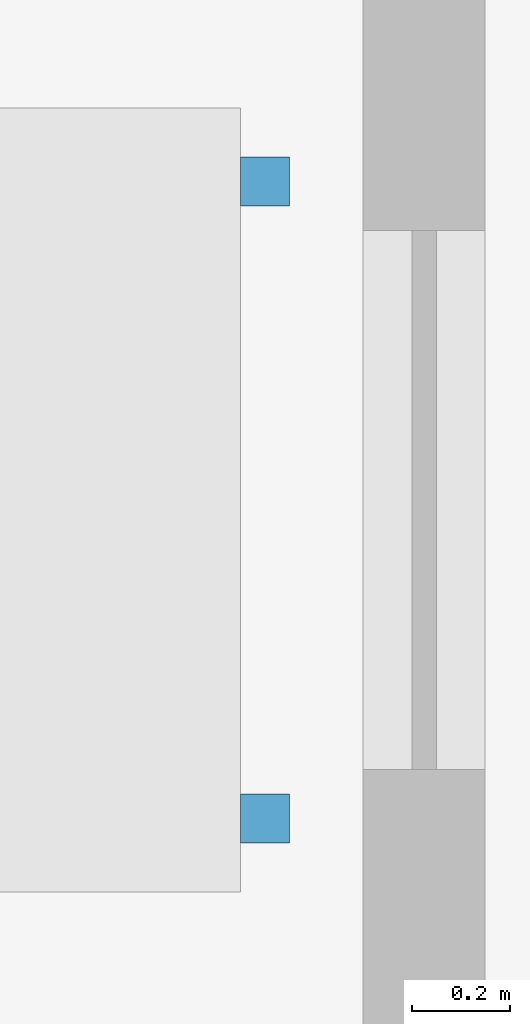
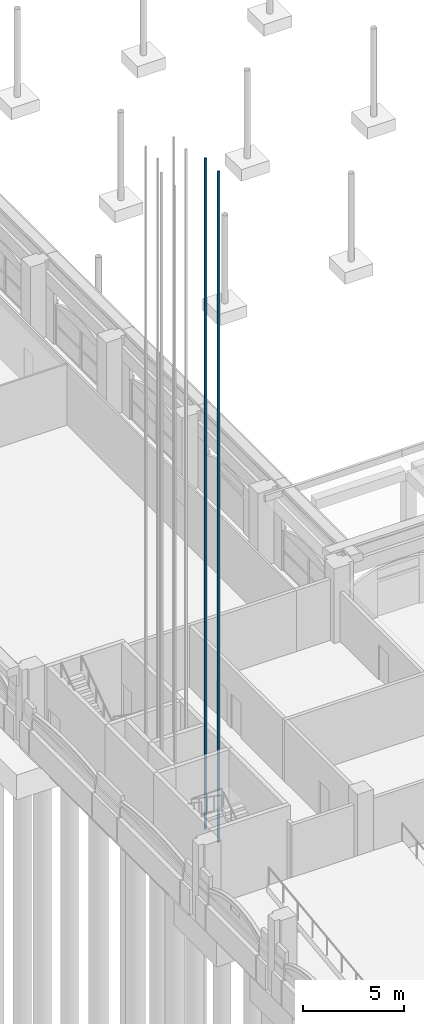
# One storey, part 49 of 99: 2 discrete accessories.
"""IFC4 building model written with IfcOpenShell, lengths in metres."""

import ifcopenshell
import ifcopenshell.guid

model = None  # the IFC model being written
_history = None  # IfcOwnerHistory: only IFC2X3 demands one
_inside = {}  # id of a spatial element -> (the spatial element, [elements in it])
_under = {}  # id of a project, library or spatial element -> (it, [spatial elements below it])
_declared = {}  # id of a project -> (the project, [libraries it declares])
_typed = {}  # id of a type object -> (the type object, [elements of that type])
_made_of = {}  # id of a material, layer set ... -> (it, [elements and type objects made of it])


def new_model(schema):
    """Start an empty IFC model of exactly this schema.

    Asked for "IFC4X3", IfcOpenShell would pick the latest addendum, in which some entities
    have other attributes; the version numbers below select the first issue.
    IFC2X3 requires an IfcOwnerHistory on every rooted entity: one is made here for all.
    """
    global model, _history
    if schema == "IFC4X3":
        model = ifcopenshell.file(schema_version=(4, 3, 0, 0))
    else:
        model = ifcopenshell.file(schema=schema)
    _inside.clear()
    _under.clear()
    _declared.clear()
    _typed.clear()
    _made_of.clear()
    _history = None
    if model.schema == "IFC2X3":
        org = make("IfcOrganization", Name="unknown")
        user = make(
            "IfcPersonAndOrganization",
            ThePerson=make("IfcPerson", FamilyName="unknown"),
            TheOrganization=org,
        )
        app = make(
            "IfcApplication",
            ApplicationDeveloper=org,
            Version="unknown",
            ApplicationFullName="unknown",
            ApplicationIdentifier="unknown",
        )
        _history = make(
            "IfcOwnerHistory",
            OwningUser=user,
            OwningApplication=app,
            ChangeAction="ADDED",
            CreationDate=0,
        )
    return model


def make(cls, **values):
    """One entity of the class cls with the attributes given. An attribute that is None is left unset."""
    return model.create_entity(
        cls, **{name: value for name, value in values.items() if value is not None}
    )


def rooted(cls, **values):
    """An entity with a GlobalId (a new one), such as an element, a storey or a relation."""
    return make(cls, GlobalId=ifcopenshell.guid.new(), OwnerHistory=_history, **values)


def si_unit(unit_type, name, prefix=None):
    """IfcSIUnit, for example si_unit("LENGTHUNIT", "METRE", prefix="MILLI")."""
    return make("IfcSIUnit", UnitType=unit_type, Prefix=prefix, Name=name)


def assignment(units):
    """IfcUnitAssignment: the units of a project."""
    return None if units is None else make("IfcUnitAssignment", Units=units)


def point(xyz):
    """IfcCartesianPoint."""
    return None if xyz is None else make("IfcCartesianPoint", Coordinates=xyz)


def direction(xyz):
    """IfcDirection."""
    return None if xyz is None else make("IfcDirection", DirectionRatios=xyz)


def frame(location, z_axis=None, x_axis=None):
    """IfcAxis2Placement3D, a coordinate frame: its origin and axes. An axis left out is left unset."""
    return make(
        "IfcAxis2Placement3D",
        Location=point(location),
        Axis=direction(z_axis),
        RefDirection=direction(x_axis),
    )


def frame_2d(location, x_axis=None):
    """IfcAxis2Placement2D, a coordinate frame in the plane: its origin and x axis."""
    return make(
        "IfcAxis2Placement2D", Location=point(location), RefDirection=direction(x_axis)
    )


def origin():
    """The frame at (0, 0, 0) with its axes left unset."""
    return frame((0.0, 0.0, 0.0))


def origin_2d():
    """The frame at (0, 0) in the plane with its x axis left unset."""
    return frame_2d((0.0, 0.0))


def place(relative_to, where):
    """IfcLocalPlacement: puts the frame where relative to a parent placement (None: the world)."""
    return make(
        "IfcLocalPlacement", PlacementRelTo=relative_to, RelativePlacement=where
    )


def context(
    kind, dimensions, precision=None, world=None, true_north=None, identifier=None
):
    """IfcGeometricRepresentationContext, for example the 3D "Model" context."""
    return make(
        "IfcGeometricRepresentationContext",
        ContextIdentifier=identifier,
        ContextType=kind,
        CoordinateSpaceDimension=dimensions,
        Precision=precision,
        WorldCoordinateSystem=world,
        TrueNorth=true_north,
    )


def subcontext(parent, identifier, kind, view, scale=None):
    """IfcGeometricRepresentationSubContext, for example "Body" below "Model"."""
    return make(
        "IfcGeometricRepresentationSubContext",
        ContextIdentifier=identifier,
        ContextType=kind,
        ParentContext=parent,
        TargetScale=scale,
        TargetView=view,
    )


def project(units=None, contexts=None):
    """IfcProject with its units and contexts."""
    return rooted(
        "IfcProject",
        Name="project",
        RepresentationContexts=contexts,
        UnitsInContext=assignment(units),
    )


def spatial(cls, under=None, at=None, **own):
    """A site, building, storey or space (cls), placed at a placement, below another one or the project."""
    s = rooted(cls, ObjectPlacement=at, **own)
    if under is not None:
        _under.setdefault(under.id(), (under, []))[1].append(s)
    return s


def profile(cls, at=None, kind="AREA", **sizes):
    """A parametric profile (cls). Its sizes go by their IFC names, for example OverallWidth=200.0."""
    return make(cls, ProfileType=kind, Position=at, **sizes)


def rectangle(**sizes):
    """IfcRectangleProfileDef."""
    return profile("IfcRectangleProfileDef", **sizes)


def extrude(swept, where, along, depth):
    """IfcExtrudedAreaSolid: the profile swept, set in the frame where, extruded along a direction by depth."""
    return make(
        "IfcExtrudedAreaSolid",
        SweptArea=swept,
        Position=where,
        ExtrudedDirection=direction(along),
        Depth=depth,
    )


def shape(context_of_items, identifier, shape_type, items):
    """IfcShapeRepresentation: the items that make up one representation, for example the "Body"."""
    return make(
        "IfcShapeRepresentation",
        ContextOfItems=context_of_items,
        RepresentationIdentifier=identifier,
        RepresentationType=shape_type,
        Items=items,
    )


def material(Name=None, Category=None):
    """IfcMaterial."""
    return make("IfcMaterial", Name=Name, Category=Category)


def made_of(thing, what):
    """Note that an element or type object is made of a material, layer set ...; save() writes the relation."""
    if what is not None:
        _made_of.setdefault(what.id(), (what, []))[1].append(thing)
    return thing


def type_object(cls, material=None, **own):
    """A type object (cls), such as IfcWallType, which elements share."""
    return made_of(rooted(cls, **own), material)


def element(
    cls,
    number,
    at=None,
    inside=None,
    cuts=None,
    type_object=None,
    material=None,
    context=None,
    identifier="Body",
    shape_type=None,
    held_by="IfcProductDefinitionShape",
    body=None,
    shapes=None,
    **own,
):
    """One element of the class cls, such as IfcWall. Its Tag is "e" and its number.

    at: its placement. inside: the storey or other place that contains it. cuts: it is an
    opening in that element (IfcRelVoidsElement). A single representation is given by context,
    identifier, shape_type and body (its items); several are given by shapes. held_by: the class
    of the entity that holds the representations. save() writes the other relations.
    """
    e = rooted(cls, Tag="e%d" % number, ObjectPlacement=at, **own)
    if body is not None:
        shapes = [shape(context, identifier, shape_type, body)]
    if shapes is not None:
        e.Representation = make(held_by, Representations=shapes)
    if inside is not None:
        _inside.setdefault(inside.id(), (inside, []))[1].append(e)
    if cuts is not None:
        rooted(
            "IfcRelVoidsElement", RelatingBuildingElement=cuts, RelatedOpeningElement=e
        )
    if type_object is not None:
        _typed.setdefault(type_object.id(), (type_object, []))[1].append(e)
    return made_of(e, material)


def aggregate(whole, parts):
    """IfcRelAggregates: a whole, such as a stair, and the parts it consists of."""
    return rooted("IfcRelAggregates", RelatingObject=whole, RelatedObjects=parts)


def save(model, path):
    """Write the relations noted so far, then the file.

    IfcRelAggregates (storeys below a building ...), IfcRelContainedInSpatialStructure (elements
    in a storey), IfcRelDefinesByType, IfcRelAssociatesMaterial and IfcRelDeclares: one each for
    every whole, place, type object, material and project.
    """
    for whole, parts in _under.values():
        aggregate(whole, parts)
    for where, things in _inside.values():
        rooted(
            "IfcRelContainedInSpatialStructure",
            RelatedElements=things,
            RelatingStructure=where,
        )
    for kind, things in _typed.values():
        rooted("IfcRelDefinesByType", RelatedObjects=things, RelatingType=kind)
    for what, things in _made_of.values():
        rooted("IfcRelAssociatesMaterial", RelatedObjects=things, RelatingMaterial=what)
    for by, libraries in _declared.values():
        rooted("IfcRelDeclares", RelatingContext=by, RelatedDefinitions=libraries)
    model.write(path)


model = new_model("IFC4")

# Units and contexts
model_context = context("Model", 3, precision=1e-05, world=origin(), true_north=direction((0.0, 1.0)))
body_context = subcontext(model_context, "Body", "Model", "MODEL_VIEW")
ifc_project = project(units=[si_unit("LENGTHUNIT", "METRE"), si_unit("AREAUNIT", "SQUARE_METRE"), si_unit("VOLUMEUNIT", "CUBIC_METRE"), si_unit("PLANEANGLEUNIT", "RADIAN"), si_unit("MASSUNIT", "GRAM", prefix="KILO")], contexts=[model_context])

# Site, building, storey
site_placement = place(None, origin())
site = spatial("IfcSite", under=ifc_project, at=site_placement, CompositionType="ELEMENT")
building_placement = place(site_placement, origin())
building = spatial("IfcBuilding", under=site, at=building_placement, Name="Cour d'Honneur Mobility Palace", CompositionType="ELEMENT")
storey_placement = place(building_placement, origin())
storey = spatial("IfcBuildingStorey", under=building, at=storey_placement, Name="L00", CompositionType="ELEMENT", Elevation=0.0)

# Discrete accessories
ifc_material = material(Name="Steel S355", Category="steel")
discrete_accessory_type = type_object("IfcDiscreteAccessoryType", Name="Lift guide rail", PredefinedType="USERDEFINED", material=ifc_material)
for number, where, z_axis, x_axis, name in (
    (1, (4.47509765625, 51.75, -1.39990234375), (0.0, 0.0, 1.0), (1.0, 0.0, 0.0), "Guide rail LF-CW1"),
    (2, (4.47509765625, 53.050048828125, -1.39990234375), (0.0, 0.0, 1.0), (1.0, 0.0, 0.0), "Guide rail LF-CW1"),
):
    element("IfcDiscreteAccessory", number, at=place(storey_placement, frame(where, z_axis=z_axis, x_axis=x_axis)), inside=storey, type_object=discrete_accessory_type, Name=name, ObjectType="GUIDE RAIL", PredefinedType="USERDEFINED", context=body_context, shape_type="SweptSolid", body=[
        extrude(rectangle(XDim=0.10009765625, YDim=0.10009765625, at=origin_2d()), origin(), (0.0, 0.0, 1.0), 40.449951171875),
    ])

save(model, "model.ifc")
